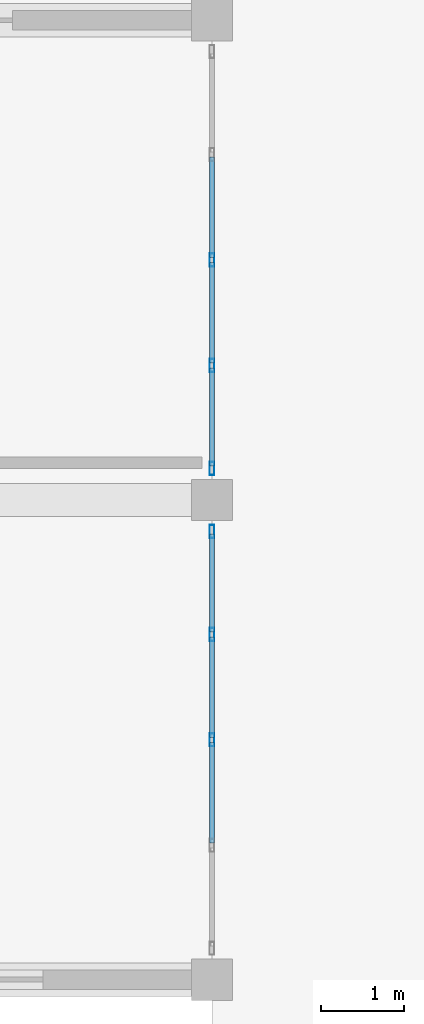
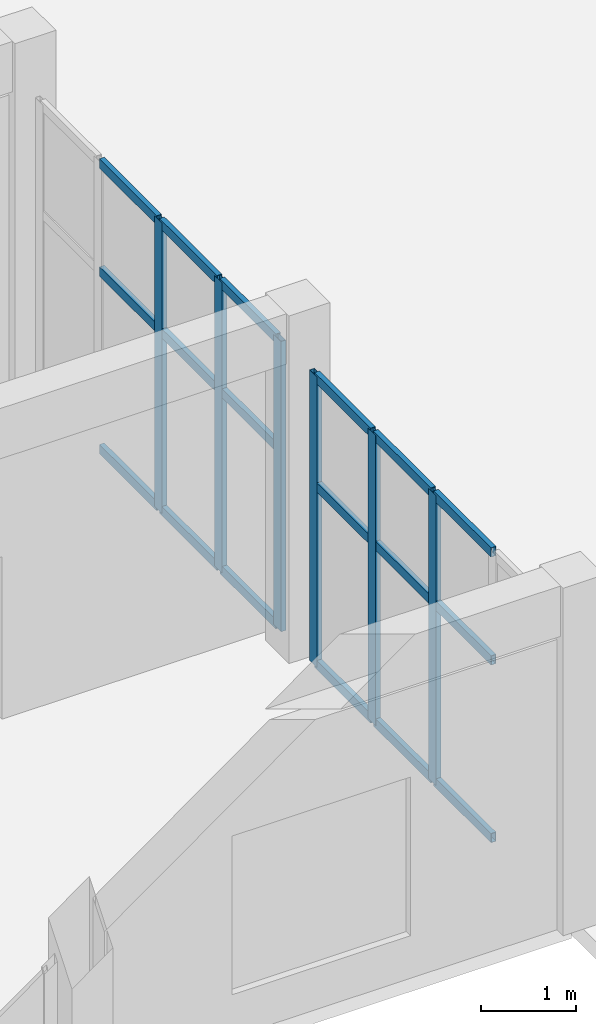
# One storey, part 27 of 132: 24 members, 2 elements without a shape of their own.
"""IFC4 building model written with IfcOpenShell, lengths in metres."""

import ifcopenshell
import ifcopenshell.guid

model = None  # the IFC model being written
_history = None  # IfcOwnerHistory: only IFC2X3 demands one
_inside = {}  # id of a spatial element -> (the spatial element, [elements in it])
_under = {}  # id of a project, library or spatial element -> (it, [spatial elements below it])
_declared = {}  # id of a project -> (the project, [libraries it declares])
_typed = {}  # id of a type object -> (the type object, [elements of that type])
_made_of = {}  # id of a material, layer set ... -> (it, [elements and type objects made of it])


def new_model(schema):
    """Start an empty IFC model of exactly this schema.

    Asked for "IFC4X3", IfcOpenShell would pick the latest addendum, in which some entities
    have other attributes; the version numbers below select the first issue.
    IFC2X3 requires an IfcOwnerHistory on every rooted entity: one is made here for all.
    """
    global model, _history
    if schema == "IFC4X3":
        model = ifcopenshell.file(schema_version=(4, 3, 0, 0))
    else:
        model = ifcopenshell.file(schema=schema)
    _inside.clear()
    _under.clear()
    _declared.clear()
    _typed.clear()
    _made_of.clear()
    _history = None
    if model.schema == "IFC2X3":
        org = make("IfcOrganization", Name="unknown")
        user = make(
            "IfcPersonAndOrganization",
            ThePerson=make("IfcPerson", FamilyName="unknown"),
            TheOrganization=org,
        )
        app = make(
            "IfcApplication",
            ApplicationDeveloper=org,
            Version="unknown",
            ApplicationFullName="unknown",
            ApplicationIdentifier="unknown",
        )
        _history = make(
            "IfcOwnerHistory",
            OwningUser=user,
            OwningApplication=app,
            ChangeAction="ADDED",
            CreationDate=0,
        )
    return model


def make(cls, **values):
    """One entity of the class cls with the attributes given. An attribute that is None is left unset."""
    return model.create_entity(
        cls, **{name: value for name, value in values.items() if value is not None}
    )


def rooted(cls, **values):
    """An entity with a GlobalId (a new one), such as an element, a storey or a relation."""
    return make(cls, GlobalId=ifcopenshell.guid.new(), OwnerHistory=_history, **values)


def si_unit(unit_type, name, prefix=None):
    """IfcSIUnit, for example si_unit("LENGTHUNIT", "METRE", prefix="MILLI")."""
    return make("IfcSIUnit", UnitType=unit_type, Prefix=prefix, Name=name)


def assignment(units):
    """IfcUnitAssignment: the units of a project."""
    return None if units is None else make("IfcUnitAssignment", Units=units)


def point(xyz):
    """IfcCartesianPoint."""
    return None if xyz is None else make("IfcCartesianPoint", Coordinates=xyz)


def direction(xyz):
    """IfcDirection."""
    return None if xyz is None else make("IfcDirection", DirectionRatios=xyz)


def frame(location, z_axis=None, x_axis=None):
    """IfcAxis2Placement3D, a coordinate frame: its origin and axes. An axis left out is left unset."""
    return make(
        "IfcAxis2Placement3D",
        Location=point(location),
        Axis=direction(z_axis),
        RefDirection=direction(x_axis),
    )


def frame_2d(location, x_axis=None):
    """IfcAxis2Placement2D, a coordinate frame in the plane: its origin and x axis."""
    return make(
        "IfcAxis2Placement2D", Location=point(location), RefDirection=direction(x_axis)
    )


def origin():
    """The frame at (0, 0, 0) with its axes left unset."""
    return frame((0.0, 0.0, 0.0))


def origin_2d():
    """The frame at (0, 0) in the plane with its x axis left unset."""
    return frame_2d((0.0, 0.0))


def place(relative_to, where):
    """IfcLocalPlacement: puts the frame where relative to a parent placement (None: the world)."""
    return make(
        "IfcLocalPlacement", PlacementRelTo=relative_to, RelativePlacement=where
    )


def context(
    kind, dimensions, precision=None, world=None, true_north=None, identifier=None
):
    """IfcGeometricRepresentationContext, for example the 3D "Model" context."""
    return make(
        "IfcGeometricRepresentationContext",
        ContextIdentifier=identifier,
        ContextType=kind,
        CoordinateSpaceDimension=dimensions,
        Precision=precision,
        WorldCoordinateSystem=world,
        TrueNorth=true_north,
    )


def subcontext(parent, identifier, kind, view, scale=None):
    """IfcGeometricRepresentationSubContext, for example "Body" below "Model"."""
    return make(
        "IfcGeometricRepresentationSubContext",
        ContextIdentifier=identifier,
        ContextType=kind,
        ParentContext=parent,
        TargetScale=scale,
        TargetView=view,
    )


def project(units=None, contexts=None):
    """IfcProject with its units and contexts."""
    return rooted(
        "IfcProject",
        Name="project",
        RepresentationContexts=contexts,
        UnitsInContext=assignment(units),
    )


def spatial(cls, under=None, at=None, **own):
    """A site, building, storey or space (cls), placed at a placement, below another one or the project."""
    s = rooted(cls, ObjectPlacement=at, **own)
    if under is not None:
        _under.setdefault(under.id(), (under, []))[1].append(s)
    return s


def profile(cls, at=None, kind="AREA", **sizes):
    """A parametric profile (cls). Its sizes go by their IFC names, for example OverallWidth=200.0."""
    return make(cls, ProfileType=kind, Position=at, **sizes)


def hollow_rectangle(**sizes):
    """IfcRectangleHollowProfileDef."""
    return profile("IfcRectangleHollowProfileDef", **sizes)


def extrude(swept, where, along, depth):
    """IfcExtrudedAreaSolid: the profile swept, set in the frame where, extruded along a direction by depth."""
    return make(
        "IfcExtrudedAreaSolid",
        SweptArea=swept,
        Position=where,
        ExtrudedDirection=direction(along),
        Depth=depth,
    )


def shape(context_of_items, identifier, shape_type, items):
    """IfcShapeRepresentation: the items that make up one representation, for example the "Body"."""
    return make(
        "IfcShapeRepresentation",
        ContextOfItems=context_of_items,
        RepresentationIdentifier=identifier,
        RepresentationType=shape_type,
        Items=items,
    )


def material(Name=None, Category=None):
    """IfcMaterial."""
    return make("IfcMaterial", Name=Name, Category=Category)


def material_profile(
    of_material, cross_section, Name=None, Category=None, Priority=None
):
    """IfcMaterialProfile: a cross section and its material."""
    return make(
        "IfcMaterialProfile",
        Name=Name,
        Material=of_material,
        Profile=cross_section,
        Priority=Priority,
        Category=Category,
    )


def profile_set(profiles, Name=None, composite=None):
    """IfcMaterialProfileSet."""
    return make(
        "IfcMaterialProfileSet",
        Name=Name,
        MaterialProfiles=profiles,
        CompositeProfile=composite,
    )


def made_of(thing, what):
    """Note that an element or type object is made of a material, layer set ...; save() writes the relation."""
    if what is not None:
        _made_of.setdefault(what.id(), (what, []))[1].append(thing)
    return thing


def type_object(cls, material=None, **own):
    """A type object (cls), such as IfcWallType, which elements share."""
    return made_of(rooted(cls, **own), material)


def element(
    cls,
    number,
    at=None,
    inside=None,
    cuts=None,
    type_object=None,
    material=None,
    context=None,
    identifier="Body",
    shape_type=None,
    held_by="IfcProductDefinitionShape",
    body=None,
    shapes=None,
    **own,
):
    """One element of the class cls, such as IfcWall. Its Tag is "e" and its number.

    at: its placement. inside: the storey or other place that contains it. cuts: it is an
    opening in that element (IfcRelVoidsElement). A single representation is given by context,
    identifier, shape_type and body (its items); several are given by shapes. held_by: the class
    of the entity that holds the representations. save() writes the other relations.
    """
    e = rooted(cls, Tag="e%d" % number, ObjectPlacement=at, **own)
    if body is not None:
        shapes = [shape(context, identifier, shape_type, body)]
    if shapes is not None:
        e.Representation = make(held_by, Representations=shapes)
    if inside is not None:
        _inside.setdefault(inside.id(), (inside, []))[1].append(e)
    if cuts is not None:
        rooted(
            "IfcRelVoidsElement", RelatingBuildingElement=cuts, RelatedOpeningElement=e
        )
    if type_object is not None:
        _typed.setdefault(type_object.id(), (type_object, []))[1].append(e)
    return made_of(e, material)


def aggregate(whole, parts):
    """IfcRelAggregates: a whole, such as a stair, and the parts it consists of."""
    return rooted("IfcRelAggregates", RelatingObject=whole, RelatedObjects=parts)


def save(model, path):
    """Write the relations noted so far, then the file.

    IfcRelAggregates (storeys below a building ...), IfcRelContainedInSpatialStructure (elements
    in a storey), IfcRelDefinesByType, IfcRelAssociatesMaterial and IfcRelDeclares: one each for
    every whole, place, type object, material and project.
    """
    for whole, parts in _under.values():
        aggregate(whole, parts)
    for where, things in _inside.values():
        rooted(
            "IfcRelContainedInSpatialStructure",
            RelatedElements=things,
            RelatingStructure=where,
        )
    for kind, things in _typed.values():
        rooted("IfcRelDefinesByType", RelatedObjects=things, RelatingType=kind)
    for what, things in _made_of.values():
        rooted("IfcRelAssociatesMaterial", RelatedObjects=things, RelatingMaterial=what)
    for by, libraries in _declared.values():
        rooted("IfcRelDeclares", RelatingContext=by, RelatedDefinitions=libraries)
    model.write(path)


model = new_model("IFC4")

# Units and contexts
model_context = context("Model", 3, precision=1e-05, world=origin(), true_north=direction((0.0, 1.0)))
body_context = subcontext(model_context, "Body", "Model", "MODEL_VIEW")
ifc_project = project(units=[si_unit("LENGTHUNIT", "METRE"), si_unit("AREAUNIT", "SQUARE_METRE"), si_unit("VOLUMEUNIT", "CUBIC_METRE"), si_unit("PLANEANGLEUNIT", "RADIAN"), si_unit("MASSUNIT", "GRAM", prefix="KILO")], contexts=[model_context])

# Site, building, storey
site_placement = place(None, origin())
site = spatial("IfcSite", under=ifc_project, at=site_placement, CompositionType="ELEMENT")
building_placement = place(site_placement, origin())
building = spatial("IfcBuilding", under=site, at=building_placement, Name="Tanwirah Colonnade Gardens", CompositionType="ELEMENT")
storey_placement = place(building_placement, origin())
storey = spatial("IfcBuildingStorey", under=building, at=storey_placement, Name="L00", CompositionType="ELEMENT", Elevation=0.0)

# Curtain wall, members
ifc_material_1 = material(Name="Bronze-anodised aluminium and solar-control low-E glass", Category="aluminium")
curtain_wall_type = type_object("IfcCurtainWallType", Name="CW-SHP", PredefinedType="NOTDEFINED", material=ifc_material_1)
curtain_wall_1_placement = place(storey_placement, origin())
curtain_wall_1 = element("IfcCurtainWall", 1, at=curtain_wall_1_placement, inside=storey, type_object=curtain_wall_type, Name="Curtain Wall CW-SHP-E-L00-E-1", PredefinedType="NOTDEFINED")
ifc_material_2 = material(Name="Bronze-anodised aluminium", Category="aluminium")
ifc_material_profile_1 = material_profile(ifc_material_2, hollow_rectangle(XDim=0.06005859375, YDim=0.159912109375, WallThickness=0.00390625, at=origin_2d()), Name="CW-MUL 60x160x4")
ifc_profile_set_1 = profile_set([ifc_material_profile_1], Name="Bronze-anodised aluminium")
member_type_1 = type_object("IfcMemberType", Name="CWM-60x160", PredefinedType="MULLION", material=ifc_profile_set_1)
member_1_placement = place(storey_placement, frame((120.0, 19.5, 0.0), z_axis=(0.0, 0.0, 1.0), x_axis=(-1.0, 0.0, 0.0)))
member_1 = element("IfcMember", 2, at=member_1_placement, type_object=member_type_1, Name="CW-SHP mullion 3", PredefinedType="MULLION", context=body_context, shape_type="SweptSolid", body=[
    extrude(hollow_rectangle(XDim=0.06005859375, YDim=0.159912109375, WallThickness=0.00390625, at=origin_2d()), origin(), (0.0, 0.0, 1.0), 3.75),
])
member_2_placement = place(storey_placement, frame((120.0, 20.77490234375, 0.0), z_axis=(0.0, 0.0, 1.0), x_axis=(-1.0, 0.0, 0.0)))
member_2 = element("IfcMember", 3, at=member_2_placement, type_object=member_type_1, Name="CW-SHP mullion 4", PredefinedType="MULLION", context=body_context, shape_type="SweptSolid", body=[
    extrude(hollow_rectangle(XDim=0.06005859375, YDim=0.159912109375, WallThickness=0.00390625, at=origin_2d()), origin(), (0.0, 0.0, 1.0), 3.75),
])
member_3_placement = place(storey_placement, frame((120.0, 22.02001953125, 0.0), z_axis=(0.0, 0.0, 1.0), x_axis=(-1.0, 0.0, 0.0)))
member_3 = element("IfcMember", 4, at=member_3_placement, type_object=member_type_1, Name="CW-SHP mullion 5", PredefinedType="MULLION", context=body_context, shape_type="SweptSolid", body=[
    extrude(hollow_rectangle(XDim=0.06005859375, YDim=0.159912109375, WallThickness=0.00390625, at=origin_2d()), origin(), (0.0, 0.0, 1.0), 3.75),
])

curtain_wall_2_placement = place(storey_placement, origin())
curtain_wall_2 = element("IfcCurtainWall", 5, at=curtain_wall_2_placement, inside=storey, type_object=curtain_wall_type, Name="Curtain Wall CW-SHP-E-L00-E-2", PredefinedType="NOTDEFINED")
member_4_placement = place(storey_placement, frame((120.0, 22.780029296875, 0.0), z_axis=(0.0, 0.0, 1.0), x_axis=(-1.0, 0.0, 0.0)))
member_4 = element("IfcMember", 6, at=member_4_placement, type_object=member_type_1, Name="CW-SHP mullion 1", PredefinedType="MULLION", context=body_context, shape_type="SweptSolid", body=[
    extrude(hollow_rectangle(XDim=0.06005859375, YDim=0.159912109375, WallThickness=0.00390625, at=origin_2d()), origin(), (0.0, 0.0, 1.0), 3.75),
])
member_5_placement = place(storey_placement, frame((120.0, 24.02490234375, 0.0), z_axis=(0.0, 0.0, 1.0), x_axis=(-1.0, 0.0, 0.0)))
member_5 = element("IfcMember", 7, at=member_5_placement, type_object=member_type_1, Name="CW-SHP mullion 2", PredefinedType="MULLION", context=body_context, shape_type="SweptSolid", body=[
    extrude(hollow_rectangle(XDim=0.06005859375, YDim=0.159912109375, WallThickness=0.00390625, at=origin_2d()), origin(), (0.0, 0.0, 1.0), 3.75),
])
member_6_placement = place(storey_placement, frame((120.0, 25.300048828125, 0.0), z_axis=(0.0, 0.0, 1.0), x_axis=(-1.0, 0.0, 0.0)))
member_6 = element("IfcMember", 8, at=member_6_placement, type_object=member_type_1, Name="CW-SHP mullion 3", PredefinedType="MULLION", context=body_context, shape_type="SweptSolid", body=[
    extrude(hollow_rectangle(XDim=0.06005859375, YDim=0.159912109375, WallThickness=0.00390625, at=origin_2d()), origin(), (0.0, 0.0, 1.0), 3.75),
])

# Member
ifc_material_profile_2 = material_profile(ifc_material_2, hollow_rectangle(XDim=0.06005859375, YDim=0.1201171875, WallThickness=0.00390625, at=origin_2d()), Name="CW-TRN 60x120x4")
ifc_profile_set_2 = profile_set([ifc_material_profile_2], Name="Bronze-anodised aluminium")
member_type_2 = type_object("IfcMemberType", Name="CWT-60x120", PredefinedType="USERDEFINED", material=ifc_profile_set_2)
member_7_placement = place(storey_placement, frame((120.0, 18.2548828125, 0.030029296875), z_axis=(0.0, 1.0, 0.0), x_axis=(-1.0, 0.0, 0.0)))
member_7 = element("IfcMember", 9, at=member_7_placement, type_object=member_type_2, Name="CW-SHP transom 2.1", ObjectType="TRANSOM", PredefinedType="USERDEFINED", context=body_context, shape_type="SweptSolid", body=[
    extrude(hollow_rectangle(XDim=0.06005859375, YDim=0.1201171875, WallThickness=0.00390625, at=origin_2d()), origin(), (0.0, 0.0, 1.0), 1.215087890625),
])

member_8_placement = place(storey_placement, frame((120.0, 18.2548828125, 2.324951171875), z_axis=(0.0, 1.0, 0.0), x_axis=(-1.0, 0.0, 0.0)))
member_8 = element("IfcMember", 10, at=member_8_placement, type_object=member_type_2, Name="CW-SHP transom 2.2", ObjectType="TRANSOM", PredefinedType="USERDEFINED", context=body_context, shape_type="SweptSolid", body=[
    extrude(hollow_rectangle(XDim=0.06005859375, YDim=0.1201171875, WallThickness=0.00390625, at=origin_2d()), origin(), (0.0, 0.0, 1.0), 1.215087890625),
])

member_9_placement = place(storey_placement, frame((120.0, 18.2548828125, 3.719970703125), z_axis=(0.0, 1.0, 0.0), x_axis=(-1.0, 0.0, 0.0)))
member_9 = element("IfcMember", 11, at=member_9_placement, type_object=member_type_2, Name="CW-SHP transom 2.3", ObjectType="TRANSOM", PredefinedType="USERDEFINED", context=body_context, shape_type="SweptSolid", body=[
    extrude(hollow_rectangle(XDim=0.06005859375, YDim=0.1201171875, WallThickness=0.00390625, at=origin_2d()), origin(), (0.0, 0.0, 1.0), 1.215087890625),
])

member_10_placement = place(storey_placement, frame((120.0, 19.530029296875, 0.030029296875), z_axis=(0.0, 1.0, 0.0), x_axis=(-1.0, 0.0, 0.0)))
member_10 = element("IfcMember", 12, at=member_10_placement, type_object=member_type_2, Name="CW-SHP transom 3.1", ObjectType="TRANSOM", PredefinedType="USERDEFINED", context=body_context, shape_type="SweptSolid", body=[
    extrude(hollow_rectangle(XDim=0.06005859375, YDim=0.1201171875, WallThickness=0.00390625, at=origin_2d()), origin(), (0.0, 0.0, 1.0), 1.215087890625),
])

member_11_placement = place(storey_placement, frame((120.0, 19.530029296875, 2.324951171875), z_axis=(0.0, 1.0, 0.0), x_axis=(-1.0, 0.0, 0.0)))
member_11 = element("IfcMember", 13, at=member_11_placement, type_object=member_type_2, Name="CW-SHP transom 3.2", ObjectType="TRANSOM", PredefinedType="USERDEFINED", context=body_context, shape_type="SweptSolid", body=[
    extrude(hollow_rectangle(XDim=0.06005859375, YDim=0.1201171875, WallThickness=0.00390625, at=origin_2d()), origin(), (0.0, 0.0, 1.0), 1.215087890625),
])

member_12_placement = place(storey_placement, frame((120.0, 19.530029296875, 3.719970703125), z_axis=(0.0, 1.0, 0.0), x_axis=(-1.0, 0.0, 0.0)))
member_12 = element("IfcMember", 14, at=member_12_placement, type_object=member_type_2, Name="CW-SHP transom 3.3", ObjectType="TRANSOM", PredefinedType="USERDEFINED", context=body_context, shape_type="SweptSolid", body=[
    extrude(hollow_rectangle(XDim=0.06005859375, YDim=0.1201171875, WallThickness=0.00390625, at=origin_2d()), origin(), (0.0, 0.0, 1.0), 1.215087890625),
])

member_13_placement = place(storey_placement, frame((120.0, 20.804931640625, 0.030029296875), z_axis=(0.0, 1.0, 0.0), x_axis=(-1.0, 0.0, 0.0)))
member_13 = element("IfcMember", 15, at=member_13_placement, type_object=member_type_2, Name="CW-SHP transom 4.1", ObjectType="TRANSOM", PredefinedType="USERDEFINED", context=body_context, shape_type="SweptSolid", body=[
    extrude(hollow_rectangle(XDim=0.06005859375, YDim=0.1201171875, WallThickness=0.00390625, at=origin_2d()), origin(), (0.0, 0.0, 1.0), 1.18505859375),
])

member_14_placement = place(storey_placement, frame((120.0, 20.804931640625, 2.324951171875), z_axis=(0.0, 1.0, 0.0), x_axis=(-1.0, 0.0, 0.0)))
member_14 = element("IfcMember", 16, at=member_14_placement, type_object=member_type_2, Name="CW-SHP transom 4.2", ObjectType="TRANSOM", PredefinedType="USERDEFINED", context=body_context, shape_type="SweptSolid", body=[
    extrude(hollow_rectangle(XDim=0.06005859375, YDim=0.1201171875, WallThickness=0.00390625, at=origin_2d()), origin(), (0.0, 0.0, 1.0), 1.18505859375),
])

member_15_placement = place(storey_placement, frame((120.0, 20.804931640625, 3.719970703125), z_axis=(0.0, 1.0, 0.0), x_axis=(-1.0, 0.0, 0.0)))
member_15 = element("IfcMember", 17, at=member_15_placement, type_object=member_type_2, Name="CW-SHP transom 4.3", ObjectType="TRANSOM", PredefinedType="USERDEFINED", context=body_context, shape_type="SweptSolid", body=[
    extrude(hollow_rectangle(XDim=0.06005859375, YDim=0.1201171875, WallThickness=0.00390625, at=origin_2d()), origin(), (0.0, 0.0, 1.0), 1.18505859375),
])

aggregate(curtain_wall_1, [member_1, member_2, member_3, member_7, member_8, member_9, member_10, member_11, member_12, member_13, member_14, member_15])

member_16_placement = place(storey_placement, frame((120.0, 22.81005859375, 0.030029296875), z_axis=(0.0, 1.0, 0.0), x_axis=(-1.0, 0.0, 0.0)))
member_16 = element("IfcMember", 18, at=member_16_placement, type_object=member_type_2, Name="CW-SHP transom 1.1", ObjectType="TRANSOM", PredefinedType="USERDEFINED", context=body_context, shape_type="SweptSolid", body=[
    extrude(hollow_rectangle(XDim=0.06005859375, YDim=0.1201171875, WallThickness=0.00390625, at=origin_2d()), origin(), (0.0, 0.0, 1.0), 1.18505859375),
])

member_17_placement = place(storey_placement, frame((120.0, 22.81005859375, 2.324951171875), z_axis=(0.0, 1.0, 0.0), x_axis=(-1.0, 0.0, 0.0)))
member_17 = element("IfcMember", 19, at=member_17_placement, type_object=member_type_2, Name="CW-SHP transom 1.2", ObjectType="TRANSOM", PredefinedType="USERDEFINED", context=body_context, shape_type="SweptSolid", body=[
    extrude(hollow_rectangle(XDim=0.06005859375, YDim=0.1201171875, WallThickness=0.00390625, at=origin_2d()), origin(), (0.0, 0.0, 1.0), 1.18505859375),
])

member_18_placement = place(storey_placement, frame((120.0, 22.81005859375, 3.719970703125), z_axis=(0.0, 1.0, 0.0), x_axis=(-1.0, 0.0, 0.0)))
member_18 = element("IfcMember", 20, at=member_18_placement, type_object=member_type_2, Name="CW-SHP transom 1.3", ObjectType="TRANSOM", PredefinedType="USERDEFINED", context=body_context, shape_type="SweptSolid", body=[
    extrude(hollow_rectangle(XDim=0.06005859375, YDim=0.1201171875, WallThickness=0.00390625, at=origin_2d()), origin(), (0.0, 0.0, 1.0), 1.18505859375),
])

member_19_placement = place(storey_placement, frame((120.0, 24.054931640625, 0.030029296875), z_axis=(0.0, 1.0, 0.0), x_axis=(-1.0, 0.0, 0.0)))
member_19 = element("IfcMember", 21, at=member_19_placement, type_object=member_type_2, Name="CW-SHP transom 2.1", ObjectType="TRANSOM", PredefinedType="USERDEFINED", context=body_context, shape_type="SweptSolid", body=[
    extrude(hollow_rectangle(XDim=0.06005859375, YDim=0.1201171875, WallThickness=0.00390625, at=origin_2d()), origin(), (0.0, 0.0, 1.0), 1.215087890625),
])

member_20_placement = place(storey_placement, frame((120.0, 24.054931640625, 2.324951171875), z_axis=(0.0, 1.0, 0.0), x_axis=(-1.0, 0.0, 0.0)))
member_20 = element("IfcMember", 22, at=member_20_placement, type_object=member_type_2, Name="CW-SHP transom 2.2", ObjectType="TRANSOM", PredefinedType="USERDEFINED", context=body_context, shape_type="SweptSolid", body=[
    extrude(hollow_rectangle(XDim=0.06005859375, YDim=0.1201171875, WallThickness=0.00390625, at=origin_2d()), origin(), (0.0, 0.0, 1.0), 1.215087890625),
])

member_21_placement = place(storey_placement, frame((120.0, 24.054931640625, 3.719970703125), z_axis=(0.0, 1.0, 0.0), x_axis=(-1.0, 0.0, 0.0)))
member_21 = element("IfcMember", 23, at=member_21_placement, type_object=member_type_2, Name="CW-SHP transom 2.3", ObjectType="TRANSOM", PredefinedType="USERDEFINED", context=body_context, shape_type="SweptSolid", body=[
    extrude(hollow_rectangle(XDim=0.06005859375, YDim=0.1201171875, WallThickness=0.00390625, at=origin_2d()), origin(), (0.0, 0.0, 1.0), 1.215087890625),
])

member_22_placement = place(storey_placement, frame((120.0, 25.330078125, 0.030029296875), z_axis=(0.0, 1.0, 0.0), x_axis=(-1.0, 0.0, 0.0)))
member_22 = element("IfcMember", 24, at=member_22_placement, type_object=member_type_2, Name="CW-SHP transom 3.1", ObjectType="TRANSOM", PredefinedType="USERDEFINED", context=body_context, shape_type="SweptSolid", body=[
    extrude(hollow_rectangle(XDim=0.06005859375, YDim=0.1201171875, WallThickness=0.00390625, at=origin_2d()), origin(), (0.0, 0.0, 1.0), 1.21484375),
])

member_23_placement = place(storey_placement, frame((120.0, 25.330078125, 2.324951171875), z_axis=(0.0, 1.0, 0.0), x_axis=(-1.0, 0.0, 0.0)))
member_23 = element("IfcMember", 25, at=member_23_placement, type_object=member_type_2, Name="CW-SHP transom 3.2", ObjectType="TRANSOM", PredefinedType="USERDEFINED", context=body_context, shape_type="SweptSolid", body=[
    extrude(hollow_rectangle(XDim=0.06005859375, YDim=0.1201171875, WallThickness=0.00390625, at=origin_2d()), origin(), (0.0, 0.0, 1.0), 1.21484375),
])

member_24_placement = place(storey_placement, frame((120.0, 25.330078125, 3.719970703125), z_axis=(0.0, 1.0, 0.0), x_axis=(-1.0, 0.0, 0.0)))
member_24 = element("IfcMember", 26, at=member_24_placement, type_object=member_type_2, Name="CW-SHP transom 3.3", ObjectType="TRANSOM", PredefinedType="USERDEFINED", context=body_context, shape_type="SweptSolid", body=[
    extrude(hollow_rectangle(XDim=0.06005859375, YDim=0.1201171875, WallThickness=0.00390625, at=origin_2d()), origin(), (0.0, 0.0, 1.0), 1.21484375),
])

aggregate(curtain_wall_2, [member_4, member_5, member_6, member_16, member_17, member_18, member_19, member_20, member_21, member_22, member_23, member_24])

save(model, "model.ifc")
